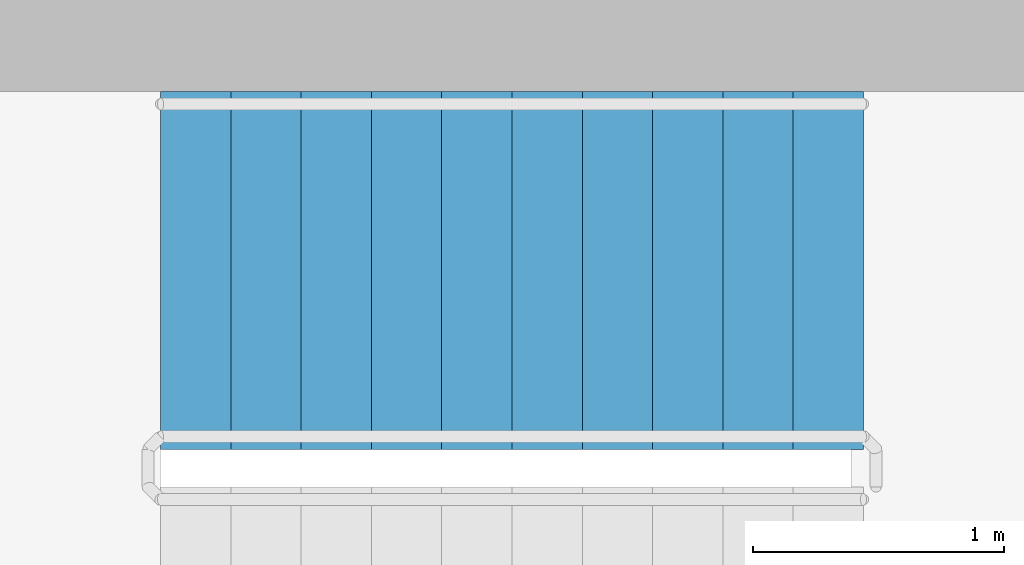
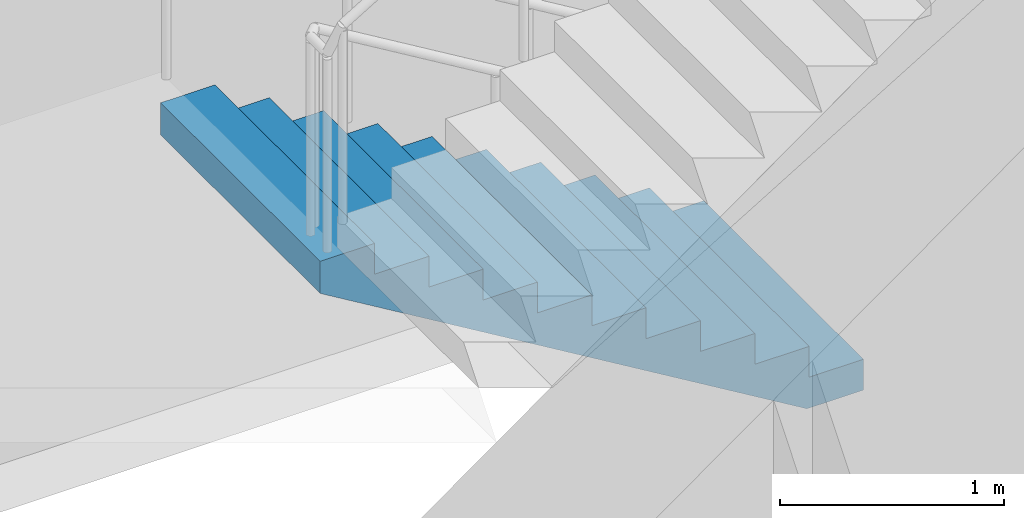
# One storey, part 21 of 24: 1 stair flight, 1 element without a shape of its own.
"""IFC4 building model written with IfcOpenShell, lengths in metres."""

from ifc_helpers import new_model, si_unit, direction, frame, origin, place, context, subcontext, project, spatial, polyline, outline, extrude, material, type_object, element, aggregate, save


model = new_model("IFC4")

# Units and contexts
model_context = context("Model", 3, precision=1e-05, world=origin(), true_north=direction((0.0, 1.0)))
body_context = subcontext(model_context, "Body", "Model", "MODEL_VIEW")
ifc_project = project(units=[si_unit("LENGTHUNIT", "METRE"), si_unit("AREAUNIT", "SQUARE_METRE"), si_unit("VOLUMEUNIT", "CUBIC_METRE"), si_unit("PLANEANGLEUNIT", "RADIAN"), si_unit("MASSUNIT", "GRAM", prefix="KILO")], contexts=[model_context])

# Site, building, storey
site_placement = place(None, origin())
site = spatial("IfcSite", under=ifc_project, at=site_placement, CompositionType="ELEMENT")
building_placement = place(site_placement, origin())
building = spatial("IfcBuilding", under=site, at=building_placement, Name="Nagisa Residences", CompositionType="ELEMENT")
storey_placement = place(building_placement, frame((0.0, 0.0, 102.89990234375)))
storey = spatial("IfcBuildingStorey", under=building, at=storey_placement, Name="L25", CompositionType="ELEMENT", Elevation=102.89990234375)

# Stair, stair flight
ifc_material_1 = material(Name="Concrete C60", Category="concrete")
stair_type = type_object("IfcStairType", Name="Exit stair", PredefinedType="HALF_TURN_STAIR", material=ifc_material_1)
stair_placement = place(storey_placement, origin())
stair = element("IfcStair", 1, at=stair_placement, inside=storey, type_object=stair_type, Name="L25 Exit stair N", PredefinedType="HALF_TURN_STAIR")
ifc_material_2 = material(Name="Concrete C60", Category="concrete")
stair_flight_type = type_object("IfcStairFlightType", Name="Exit stair flight", PredefinedType="STRAIGHT", material=ifc_material_2)
stair_flight_placement = place(storey_placement, frame((2.47509765625, 9.31201171875, 0.0), z_axis=(0.0, 0.0, 1.0), x_axis=(-1.0, 0.0, 0.0)))
stair_flight = element("IfcStairFlight", 2, at=stair_flight_placement, type_object=stair_flight_type, Name="ST-N flight 1", NumberOfRisers=11, NumberOfTreads=10, PredefinedType="STRAIGHT", RiserHeight=0.168181818, TreadLength=0.28, context=body_context, shape_type="SweptSolid", body=[
    extrude(outline(polyline([(0.0, 0.0), (0.0, 0.168212890625), (0.280029296875, 0.168212890625), (0.280029296875, 0.33642578125), (0.56005859375, 0.33642578125), (0.56005859375, 0.504638671875), (0.840087890625, 0.504638671875), (0.840087890625, 0.672607421875), (1.1201171875, 0.672607421875), (1.1201171875, 0.8408203125), (1.39990234375, 0.8408203125), (1.39990234375, 1.009033203125), (1.679931640625, 1.009033203125), (1.679931640625, 1.17724609375), (1.9599609375, 1.17724609375), (1.9599609375, 1.345458984375), (2.239990234375, 1.345458984375), (2.239990234375, 1.513671875), (2.52001953125, 1.513671875), (2.52001953125, 1.681884765625), (2.800048828125, 1.681884765625), (2.800048828125, 1.85009765625), (2.800048828125, 1.5068359375), (0.291015625, 0.0), (0.0, 0.0)])), frame((0.0, 0.71240234375, 0.0), z_axis=(0.0, -1.0, 0.0), x_axis=(1.0, 0.0, 0.0)), (0.0, 0.0, 1.0), 1.425048828125),
])
aggregate(stair, [stair_flight])

save(model, "model.ifc")
